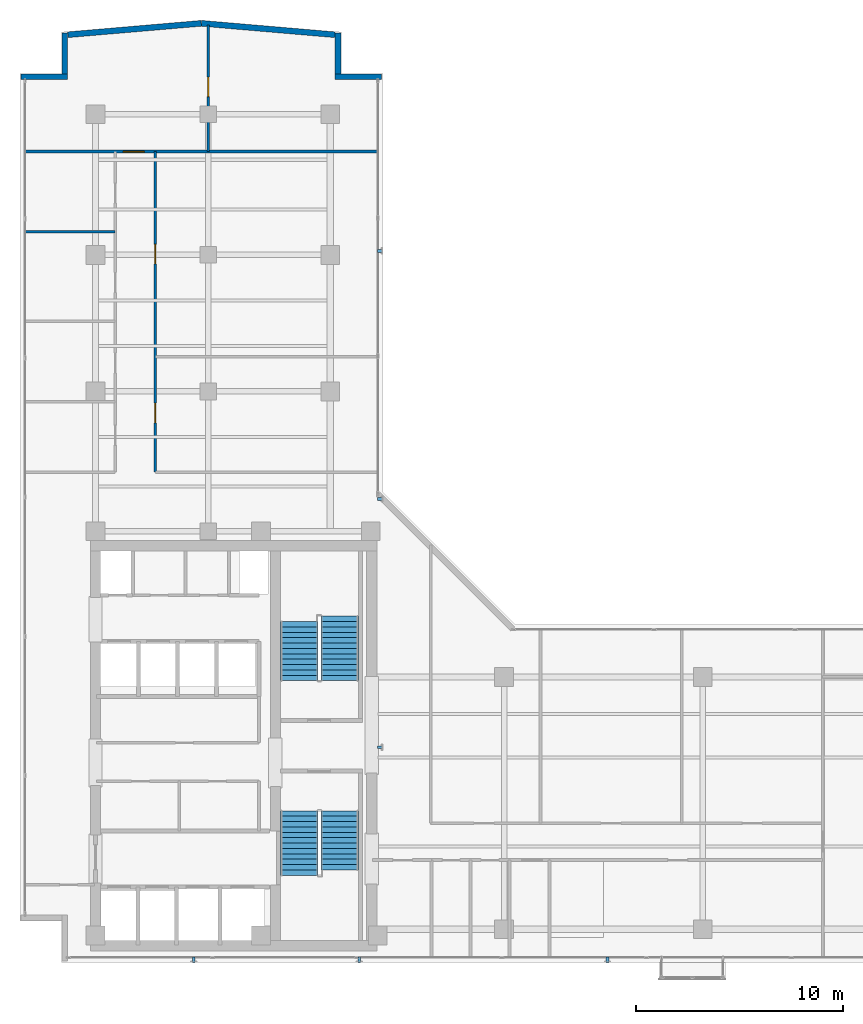
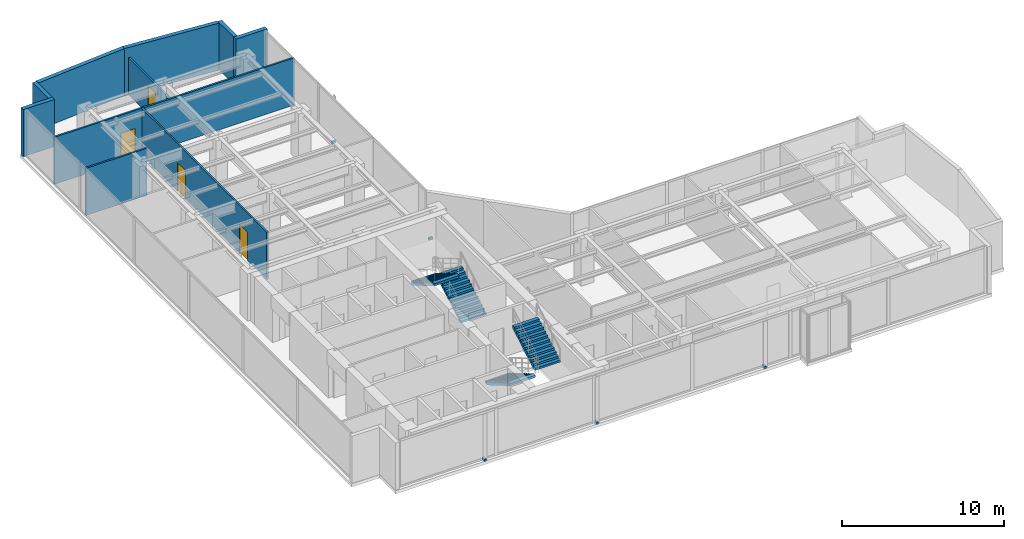
# One storey, part 19 of 24: 10 walls, 6 discrete accessories, 4 doors, 4 stair flights, 4 openings, 2 elements without a shape of their own.
"""IFC4 building model written with IfcOpenShell, lengths in metres."""

from ifc_helpers import new_model, si_unit, direction, frame, frame_2d, origin, origin_with_axes, origin_2d, place, context, subcontext, project, spatial, polyline, rectangle, outline, extrude, source, transform, mapped, material, layer, layer_set, type_object, element, fill, aggregate, save


model = new_model("IFC4")

# Units and contexts
model_context = context("Model", 3, precision=1e-05, world=origin(), true_north=direction((0.0, 1.0)))
body_context = subcontext(model_context, "Body", "Model", "MODEL_VIEW")
ifc_project = project(units=[si_unit("LENGTHUNIT", "METRE"), si_unit("AREAUNIT", "SQUARE_METRE"), si_unit("VOLUMEUNIT", "CUBIC_METRE"), si_unit("PLANEANGLEUNIT", "RADIAN"), si_unit("MASSUNIT", "GRAM", prefix="KILO")], contexts=[model_context])

# Site, building, storey
site_placement = place(None, origin())
site = spatial("IfcSite", under=ifc_project, at=site_placement, CompositionType="ELEMENT")
building_placement = place(site_placement, origin())
building = spatial("IfcBuilding", under=site, at=building_placement, Name="Kolvaren Waterfront Exchange", CompositionType="ELEMENT")
storey_placement = place(building_placement, frame((0.0, 0.0, 285.60009765625)))
storey = spatial("IfcBuildingStorey", under=building, at=storey_placement, Name="L73", CompositionType="ELEMENT", Elevation=285.60009765625)

# Walls
ifc_material_1 = material(Name="Precast concrete C40/50", Category="concrete")
ifc_layer_1 = layer(ifc_material_1, 0.280029296875, Name="Precast concrete C40/50")
ifc_layer_set_1 = layer_set([ifc_layer_1], Name="Precast concrete C40/50")
wall_type_1 = type_object("IfcWallType", Name="ARC-EXT-TERR-280", PredefinedType="SOLIDWALL", material=ifc_layer_set_1)
wall_1_placement = place(storey_placement, frame((19.036865234375, 46.4189453125, 0.0), z_axis=(0.0, 0.0, 1.0), x_axis=(1.0, 0.0, 0.0)))
element("IfcWall", 1, at=wall_1_placement, inside=storey, type_object=wall_type_1, Name="L73 notched corner spandrel pier NNE-A", PredefinedType="SOLIDWALL", context=body_context, shape_type="SweptSolid", body=[
    extrude(rectangle(XDim=2.239990234375, YDim=0.280029296875, at=frame_2d((1.1201171875, 0.0))), origin(), (0.0, 0.0, 1.0), 3.559814453125),
])
wall_2_placement = place(storey_placement, frame((19.1767578125, 46.558837890625, 0.0), z_axis=(0.0, 0.0, 1.0), x_axis=(0.0, 1.0, 0.0)))
element("IfcWall", 2, at=wall_2_placement, inside=storey, type_object=wall_type_1, Name="L73 notched corner spandrel pier NNE-B", PredefinedType="SOLIDWALL", context=body_context, shape_type="SweptSolid", body=[
    extrude(rectangle(XDim=1.9599609375, YDim=0.280029296875, at=frame_2d((0.97998046875, 0.0))), origin(), (0.0, 0.0, 1.0), 3.559814453125),
])
wall_3_placement = place(storey_placement, frame((3.860107421875, 46.4189453125, 0.0), z_axis=(0.0, 0.0, 1.0), x_axis=(1.0, 0.0, 0.0)))
element("IfcWall", 3, at=wall_3_placement, inside=storey, type_object=wall_type_1, Name="L73 notched corner spandrel pier NW-A", PredefinedType="SOLIDWALL", context=body_context, shape_type="SweptSolid", body=[
    extrude(rectangle(XDim=2.239990234375, YDim=0.280029296875, at=frame_2d((1.1201171875, 0.0))), origin(), (0.0, 0.0, 1.0), 3.559814453125),
])
wall_4_placement = place(storey_placement, frame((5.9599609375, 46.558837890625, 0.0), z_axis=(0.0, 0.0, 1.0), x_axis=(0.0, 1.0, 0.0)))
element("IfcWall", 4, at=wall_4_placement, inside=storey, type_object=wall_type_1, Name="L73 notched corner spandrel pier NW-B", PredefinedType="SOLIDWALL", context=body_context, shape_type="SweptSolid", body=[
    extrude(rectangle(XDim=1.9599609375, YDim=0.280029296875, at=frame_2d((0.97998046875, 0.0))), origin(), (0.0, 0.0, 1.0), 3.559814453125),
])
wall_5_placement = place(storey_placement, frame((19.0244140625, 48.445068359375, 0.0), z_axis=(0.0, 0.0, 1.0), x_axis=(-0.996363958027, 0.085198962116, 0.0)))
element("IfcWall", 5, at=wall_5_placement, inside=storey, type_object=wall_type_1, Name="L73 north prow faceted facade wall 1", PredefinedType="SOLIDWALL", context=body_context, shape_type="SweptSolid", body=[
    extrude(rectangle(XDim=6.47314453125, YDim=0.280029296875, at=frame_2d((3.236572265625, 0.0))), origin(), (0.0, 0.0, 1.0), 3.559814453125),
])
wall_6_placement = place(storey_placement, frame((12.56201171875, 48.99658203125, 0.0), z_axis=(0.0, 0.0, 1.0), x_axis=(-0.996363684241, -0.08520216386, 0.0)))
element("IfcWall", 6, at=wall_6_placement, inside=storey, type_object=wall_type_1, Name="L73 north prow faceted facade wall 2", PredefinedType="SOLIDWALL", context=body_context, shape_type="SweptSolid", body=[
    extrude(rectangle(XDim=6.472900390625, YDim=0.280029296875, at=frame_2d((3.236328125, 0.0))), origin(), (0.0, 0.0, 1.0), 3.559814453125),
])
ifc_material_2 = material(Name="Acoustic gypsum steel stud", Category="steel")
ifc_layer_2 = layer(ifc_material_2, 0.125, Name="Acoustic gypsum steel stud")
ifc_layer_set_2 = layer_set([ifc_layer_2], Name="Acoustic gypsum steel stud")
wall_type_2 = type_object("IfcWallType", Name="ARC-PART-125", PredefinedType="PARTITIONING", material=ifc_layer_set_2)
wall_7_placement = place(storey_placement, frame((4.0400390625, 38.919921875, 0.0), z_axis=(0.0, 0.0, 1.0), x_axis=(1.0, 0.0, 0.0)))
element("IfcWall", 7, at=wall_7_placement, inside=storey, type_object=wall_type_2, Name="L73 interior wall PW-L73-NW-DIV-3", PredefinedType="PARTITIONING", context=body_context, shape_type="SweptSolid", body=[
    extrude(rectangle(XDim=4.35986328125, YDim=0.125, at=frame_2d((2.179931640625, 0.0))), origin(), (0.0, 0.0, 1.0), 3.559814453125),
])

# Wall, opening, door
wall_8_placement = place(storey_placement, frame((4.0400390625, 42.800048828125, 0.0), z_axis=(0.0, 0.0, 1.0), x_axis=(1.0, 0.0, 0.0)))
wall_8 = element("IfcWall", 8, at=wall_8_placement, inside=storey, type_object=wall_type_2, Name="L73 interior wall PW-L73-NTIP-S", PredefinedType="PARTITIONING", context=body_context, shape_type="SweptSolid", body=[
    extrude(rectangle(XDim=17.119873046875, YDim=0.125, at=frame_2d((8.56005859375, 0.0))), origin(), (0.0, 0.0, 1.0), 3.559814453125),
])
opening_1_placement = place(wall_8_placement, frame((4.760009765625, 0.0, 0.0)))
opening_1 = element("IfcOpeningElement", 9, at=opening_1_placement, cuts=wall_8, Name="Opening D03", PredefinedType="OPENING", context=body_context, shape_type="SweptSolid", body=[
    extrude(rectangle(XDim=1.0, YDim=2.199951171875, at=frame_2d((0.5, 1.10009765625))), frame((0.0, 0.072509765625, 0.0), z_axis=(0.0, -1.0, 0.0), x_axis=(1.0, 0.0, 0.0)), (0.0, 0.0, 1.0), 0.14501953125),
])
ifc_material_3 = material(Name="Oak veneer accessible timber", Category="wood")
door_type_1 = type_object("IfcDoorType", Name="ARC-DR-1000", OperationType="NOTDEFINED", PredefinedType="DOOR", material=ifc_material_3)
door_1_placement = place(opening_1_placement, origin())
door_1 = element("IfcDoor", 10, at=door_1_placement, inside=storey, type_object=door_type_1, Name="L73 door DR-L73-NTIPW-D (D03)", OperationType="SINGLE_SWING_LEFT", OverallHeight=2.199951171875, OverallWidth=1.0, PredefinedType="DOOR", context=body_context, shape_type="SweptSolid", body=[
    extrude(rectangle(XDim=1.0, YDim=2.199951171875, at=frame_2d((0.5, 1.10009765625))), frame((0.0, 0.02490234375, 0.0), z_axis=(0.0, -1.0, 0.0), x_axis=(1.0, 0.0, 0.0)), (0.0, 0.0, 1.0), 0.050048828125),
])
fill(opening_1, door_1)

wall_9_placement = place(storey_placement, frame((12.89990234375, 42.800048828125, 0.0), z_axis=(0.0, 0.0, 1.0), x_axis=(0.0, 1.0, 0.0)))
wall_9 = element("IfcWall", 11, at=wall_9_placement, inside=storey, type_object=wall_type_2, Name="L73 interior wall PW-L73-NTIP-DIV", PredefinedType="PARTITIONING", context=body_context, shape_type="SweptSolid", body=[
    extrude(rectangle(XDim=6.11767578125, YDim=0.125, at=frame_2d((3.058837890625, 0.0))), origin(), (0.0, 0.0, 1.0), 2.7978515625),
])
opening_2_placement = place(wall_9_placement, frame((2.650390625, 0.0, 0.0)))
opening_2 = element("IfcOpeningElement", 12, at=opening_2_placement, cuts=wall_9, Name="Opening D02", PredefinedType="OPENING", context=body_context, shape_type="SweptSolid", body=[
    extrude(rectangle(XDim=0.949951171875, YDim=2.14990234375, at=frame_2d((0.47509765625, 1.074951171875))), frame((0.0, 0.072509765625, 0.0), z_axis=(0.0, -1.0, 0.0), x_axis=(1.0, 0.0, 0.0)), (0.0, 0.0, 1.0), 0.14501953125),
])
ifc_material_4 = material(Name="Oak veneer acoustic timber", Category="wood")
door_type_2 = type_object("IfcDoorType", Name="ARC-DR-950", OperationType="NOTDEFINED", PredefinedType="DOOR", material=ifc_material_4)
door_2_placement = place(opening_2_placement, origin())
door_2 = element("IfcDoor", 13, at=door_2_placement, inside=storey, type_object=door_type_2, Name="L73 door DR-L73-NTIPE-D (D02)", OperationType="SINGLE_SWING_RIGHT", OverallHeight=2.14990234375, OverallWidth=0.949951171875, PredefinedType="DOOR", context=body_context, shape_type="SweptSolid", body=[
    extrude(rectangle(XDim=0.949951171875, YDim=2.14990234375, at=frame_2d((0.47509765625, 1.074951171875))), frame((0.0, 0.02490234375, 0.0), z_axis=(0.0, -1.0, 0.0), x_axis=(1.0, 0.0, 0.0)), (0.0, 0.0, 1.0), 0.050048828125),
])
fill(opening_2, door_2)

# Wall, openings, doors
wall_10_placement = place(storey_placement, frame((10.340087890625, 27.300048828125, 0.0), z_axis=(0.0, 0.0, 1.0), x_axis=(0.0, 1.0, 0.0)))
wall_10 = element("IfcWall", 14, at=wall_10_placement, inside=storey, type_object=wall_type_2, Name="L73 interior wall PW-L73-NE-CORR", PredefinedType="PARTITIONING", context=body_context, shape_type="SweptSolid", body=[
    extrude(rectangle(XDim=15.5, YDim=0.125, at=frame_2d((7.75, 0.0))), origin(), (0.0, 0.0, 1.0), 3.559814453125),
])
opening_3_placement = place(wall_10_placement, frame((2.385986328125, 0.0, 0.0)))
opening_3 = element("IfcOpeningElement", 15, at=opening_3_placement, cuts=wall_10, Name="Opening D02", PredefinedType="OPENING", context=body_context, shape_type="SweptSolid", body=[
    extrude(rectangle(XDim=0.949951171875, YDim=2.14990234375, at=frame_2d((0.47509765625, 1.074951171875))), frame((0.0, 0.072509765625, 0.0), z_axis=(0.0, -1.0, 0.0), x_axis=(1.0, 0.0, 0.0)), (0.0, 0.0, 1.0), 0.14501953125),
])
opening_4_placement = place(wall_10_placement, frame((10.06494140625, 0.0, 0.0)))
opening_4 = element("IfcOpeningElement", 16, at=opening_4_placement, cuts=wall_10, Name="Opening D02", PredefinedType="OPENING", context=body_context, shape_type="SweptSolid", body=[
    extrude(rectangle(XDim=0.949951171875, YDim=2.14990234375, at=frame_2d((0.47509765625, 1.074951171875))), frame((0.0, 0.072509765625, 0.0), z_axis=(0.0, -1.0, 0.0), x_axis=(1.0, 0.0, 0.0)), (0.0, 0.0, 1.0), 0.14501953125),
])
door_3_placement = place(opening_3_placement, origin())
door_3 = element("IfcDoor", 17, at=door_3_placement, inside=storey, type_object=door_type_2, Name="L73 door DR-L73-NE-D-1 (D02)", OperationType="SINGLE_SWING_LEFT", OverallHeight=2.14990234375, OverallWidth=0.949951171875, PredefinedType="DOOR", context=body_context, shape_type="SweptSolid", body=[
    extrude(rectangle(XDim=0.949951171875, YDim=2.14990234375, at=frame_2d((0.47509765625, 1.074951171875))), frame((0.0, 0.02490234375, 0.0), z_axis=(0.0, -1.0, 0.0), x_axis=(1.0, 0.0, 0.0)), (0.0, 0.0, 1.0), 0.050048828125),
])
fill(opening_3, door_3)
door_4_placement = place(opening_4_placement, origin())
door_4 = element("IfcDoor", 18, at=door_4_placement, inside=storey, type_object=door_type_2, Name="L73 door DR-L73-NE-D-2 (D02)", OperationType="SINGLE_SWING_RIGHT", OverallHeight=2.14990234375, OverallWidth=0.949951171875, PredefinedType="DOOR", context=body_context, shape_type="SweptSolid", body=[
    extrude(rectangle(XDim=0.949951171875, YDim=2.14990234375, at=frame_2d((0.47509765625, 1.074951171875))), frame((0.0, 0.02490234375, 0.0), z_axis=(0.0, -1.0, 0.0), x_axis=(1.0, 0.0, 0.0)), (0.0, 0.0, 1.0), 0.050048828125),
])
fill(opening_4, door_4)

# Stair, stair flights
ifc_material_5 = material(Name="Concrete C40/50", Category="concrete")
stair_type = type_object("IfcStairType", Name="ARC-STAIR-3800", PredefinedType="HALF_TURN_STAIR", material=ifc_material_5)
stair_1_placement = place(storey_placement, origin())
stair_1 = element("IfcStair", 19, at=stair_1_placement, inside=storey, type_object=stair_type, Name="L73 Smoke-proof exit stair ST1", PredefinedType="HALF_TURN_STAIR")
stair_flight_type = type_object("IfcStairFlightType", Name="ARC-FLIGHT-3800", PredefinedType="STRAIGHT", material=ifc_material_5)
stair_flight_1_placement = place(storey_placement, frame((17.300048828125, 10.929931640625, 0.0), z_axis=(0.0, 0.0, 1.0), x_axis=(0.0, -1.0, 0.0)))
stair_flight_1 = element("IfcStairFlight", 20, at=stair_flight_1_placement, type_object=stair_flight_type, Name="ST1 flight 1", NumberOfRisers=13, NumberOfTreads=12, PredefinedType="STRAIGHT", RiserHeight=0.152, TreadLength=0.26, context=body_context, shape_type="SweptSolid", body=[
    extrude(outline(polyline([(0.0, 0.0), (0.0, 0.152099609375), (0.260009765625, 0.152099609375), (0.260009765625, 0.303955078125), (0.52001953125, 0.303955078125), (0.52001953125, 0.4560546875), (0.780029296875, 0.4560546875), (0.780029296875, 0.60791015625), (1.0400390625, 0.60791015625), (1.0400390625, 0.760009765625), (1.300048828125, 0.760009765625), (1.300048828125, 0.912109375), (1.56005859375, 0.912109375), (1.56005859375, 1.06396484375), (1.820068359375, 1.06396484375), (1.820068359375, 1.216064453125), (2.080078125, 1.216064453125), (2.080078125, 1.367919921875), (2.340087890625, 1.367919921875), (2.340087890625, 1.52001953125), (2.60009765625, 1.52001953125), (2.60009765625, 1.672119140625), (2.860107421875, 1.672119140625), (2.860107421875, 1.823974609375), (3.1201171875, 1.823974609375), (3.1201171875, 1.97607421875), (3.1201171875, 1.650390625), (0.297119140625, 0.0), (0.0, 0.0)])), frame((0.0, 0.89990234375, 0.0), z_axis=(0.0, -1.0, 0.0), x_axis=(1.0, 0.0, 0.0)), (0.0, 0.0, 1.0), 1.800048828125),
])
stair_flight_2_placement = place(storey_placement, frame((19.260009765625, 8.070068359375, 1.975830078125), z_axis=(0.0, 0.0, 1.0), x_axis=(0.0, 1.0, 0.0)))
stair_flight_2 = element("IfcStairFlight", 21, at=stair_flight_2_placement, type_object=stair_flight_type, Name="ST1 flight 2", NumberOfRisers=12, NumberOfTreads=11, PredefinedType="STRAIGHT", RiserHeight=0.152, TreadLength=0.26, context=body_context, shape_type="SweptSolid", body=[
    extrude(outline(polyline([(0.0, 0.0), (0.0, 0.152099609375), (0.260009765625, 0.152099609375), (0.260009765625, 0.303955078125), (0.52001953125, 0.303955078125), (0.52001953125, 0.4560546875), (0.780029296875, 0.4560546875), (0.780029296875, 0.60791015625), (1.0400390625, 0.60791015625), (1.0400390625, 0.760009765625), (1.300048828125, 0.760009765625), (1.300048828125, 0.912109375), (1.56005859375, 0.912109375), (1.56005859375, 1.06396484375), (1.820068359375, 1.06396484375), (1.820068359375, 1.216064453125), (2.080078125, 1.216064453125), (2.080078125, 1.367919921875), (2.340087890625, 1.367919921875), (2.340087890625, 1.52001953125), (2.60009765625, 1.52001953125), (2.60009765625, 1.672119140625), (2.860107421875, 1.672119140625), (2.860107421875, 1.823974609375), (2.860107421875, 1.498291015625), (0.297119140625, 0.0), (0.0, 0.0)])), frame((0.0, 0.89990234375, 0.0), z_axis=(0.0, -1.0, 0.0), x_axis=(1.0, 0.0, 0.0)), (0.0, 0.0, 1.0), 1.800048828125),
])
aggregate(stair_1, [stair_flight_1, stair_flight_2])

stair_2_placement = place(storey_placement, origin())
stair_2 = element("IfcStair", 22, at=stair_2_placement, inside=storey, type_object=stair_type, Name="L73 Smoke-proof exit stair ST2", PredefinedType="HALF_TURN_STAIR")
stair_flight_3_placement = place(storey_placement, frame((19.260009765625, 17.219970703125, 0.0), z_axis=(0.0, 0.0, 1.0), x_axis=(0.0, 1.0, 0.0)))
stair_flight_3 = element("IfcStairFlight", 23, at=stair_flight_3_placement, type_object=stair_flight_type, Name="ST2 flight 1", NumberOfRisers=13, NumberOfTreads=12, PredefinedType="STRAIGHT", RiserHeight=0.152, TreadLength=0.26, context=body_context, shape_type="SweptSolid", body=[
    extrude(outline(polyline([(0.0, 0.0), (0.0, 0.152099609375), (0.260009765625, 0.152099609375), (0.260009765625, 0.303955078125), (0.52001953125, 0.303955078125), (0.52001953125, 0.4560546875), (0.780029296875, 0.4560546875), (0.780029296875, 0.60791015625), (1.0400390625, 0.60791015625), (1.0400390625, 0.760009765625), (1.300048828125, 0.760009765625), (1.300048828125, 0.912109375), (1.56005859375, 0.912109375), (1.56005859375, 1.06396484375), (1.820068359375, 1.06396484375), (1.820068359375, 1.216064453125), (2.080078125, 1.216064453125), (2.080078125, 1.367919921875), (2.340087890625, 1.367919921875), (2.340087890625, 1.52001953125), (2.60009765625, 1.52001953125), (2.60009765625, 1.672119140625), (2.860107421875, 1.672119140625), (2.860107421875, 1.823974609375), (3.1201171875, 1.823974609375), (3.1201171875, 1.97607421875), (3.1201171875, 1.650390625), (0.297119140625, 0.0), (0.0, 0.0)])), frame((0.0, 0.89990234375, 0.0), z_axis=(0.0, -1.0, 0.0), x_axis=(1.0, 0.0, 0.0)), (0.0, 0.0, 1.0), 1.800048828125),
])
stair_flight_4_placement = place(storey_placement, frame((17.300048828125, 20.080078125, 1.975830078125), z_axis=(0.0, 0.0, 1.0), x_axis=(0.0, -1.0, 0.0)))
stair_flight_4 = element("IfcStairFlight", 24, at=stair_flight_4_placement, type_object=stair_flight_type, Name="ST2 flight 2", NumberOfRisers=12, NumberOfTreads=11, PredefinedType="STRAIGHT", RiserHeight=0.152, TreadLength=0.26, context=body_context, shape_type="SweptSolid", body=[
    extrude(outline(polyline([(0.0, 0.0), (0.0, 0.152099609375), (0.260009765625, 0.152099609375), (0.260009765625, 0.303955078125), (0.52001953125, 0.303955078125), (0.52001953125, 0.4560546875), (0.780029296875, 0.4560546875), (0.780029296875, 0.60791015625), (1.0400390625, 0.60791015625), (1.0400390625, 0.760009765625), (1.300048828125, 0.760009765625), (1.300048828125, 0.912109375), (1.56005859375, 0.912109375), (1.56005859375, 1.06396484375), (1.820068359375, 1.06396484375), (1.820068359375, 1.216064453125), (2.080078125, 1.216064453125), (2.080078125, 1.367919921875), (2.340087890625, 1.367919921875), (2.340087890625, 1.52001953125), (2.60009765625, 1.52001953125), (2.60009765625, 1.672119140625), (2.860107421875, 1.672119140625), (2.860107421875, 1.823974609375), (2.860107421875, 1.498291015625), (0.297119140625, 0.0), (0.0, 0.0)])), frame((0.0, 0.89990234375, 0.0), z_axis=(0.0, -1.0, 0.0), x_axis=(1.0, 0.0, 0.0)), (0.0, 0.0, 1.0), 1.800048828125),
])
aggregate(stair_2, [stair_flight_3, stair_flight_4])

# Discrete accessories
ifc_material_6 = material(Name="Stainless steel 316", Category="steel")
discrete_accessory_type = type_object("IfcDiscreteAccessoryType", Name="ARC-BRK-FIN", PredefinedType="BRACKET", material=ifc_material_6)
shared_shape = source(origin_with_axes(), body_context, "Body", "SweptSolid", [
    extrude(rectangle(XDim=0.280029296875, YDim=0.139892578125, at=origin_2d()), origin(), (0.0, 0.0, 1.0), 0.159912109375),
])
for number, where, z_axis, x_axis, name in (
    (25, (12.199951171875, 3.719970703125, 0.0), (0.0, 0.0, 1.0), (0.0, -1.0, 0.0), "L73 bronze fin anchor bracket FIN-L73-S1"),
    (26, (20.199951171875, 3.719970703125, 0.0), (0.0, 0.0, 1.0), (0.0, -1.0, 0.0), "L73 bronze fin anchor bracket FIN-L73-S2"),
    (27, (32.199951171875, 3.719970703125, 0.0), (0.0, 0.0, 1.0), (0.0, -1.0, 0.0), "L73 bronze fin anchor bracket FIN-L73-S3"),
    (28, (21.216796875, 14.0, 0.0), (0.0, 0.0, 1.0), (1.0, 0.0, 0.0), "L73 bronze fin anchor bracket FIN-L73-E1"),
    (29, (21.216796875, 26.0, 0.0), (0.0, 0.0, 1.0), (1.0, 0.0, 0.0), "L73 bronze fin anchor bracket FIN-L73-E2"),
    (30, (21.216796875, 38.0, 0.0), (0.0, 0.0, 1.0), (1.0, 0.0, 0.0), "L73 bronze fin anchor bracket FIN-L73-E3"),
):
    element("IfcDiscreteAccessory", number, at=place(storey_placement, frame(where, z_axis=z_axis, x_axis=x_axis)), inside=storey, type_object=discrete_accessory_type, Name=name, PredefinedType="BRACKET", context=body_context, shape_type="MappedRepresentation", body=[
        mapped(shared_shape, transform((0.0, 0.0, 0.0), x_axis=(1.0, 0.0, 0.0), y_axis=(0.0, 1.0, 0.0), z_axis=(0.0, 0.0, 1.0), scale=1.0)),
    ])

save(model, "model.ifc")
